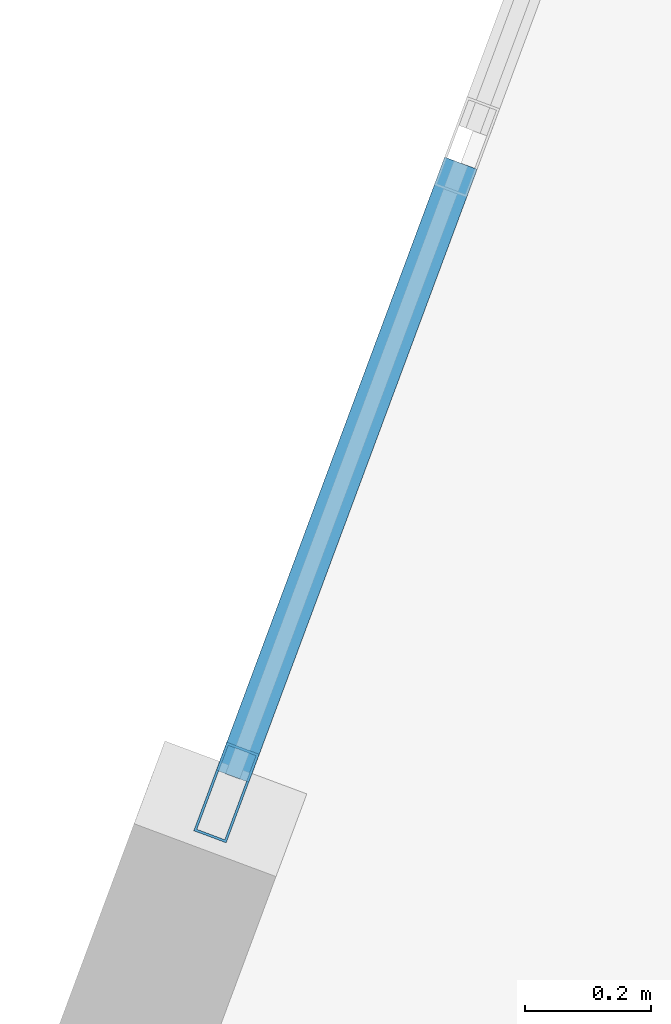
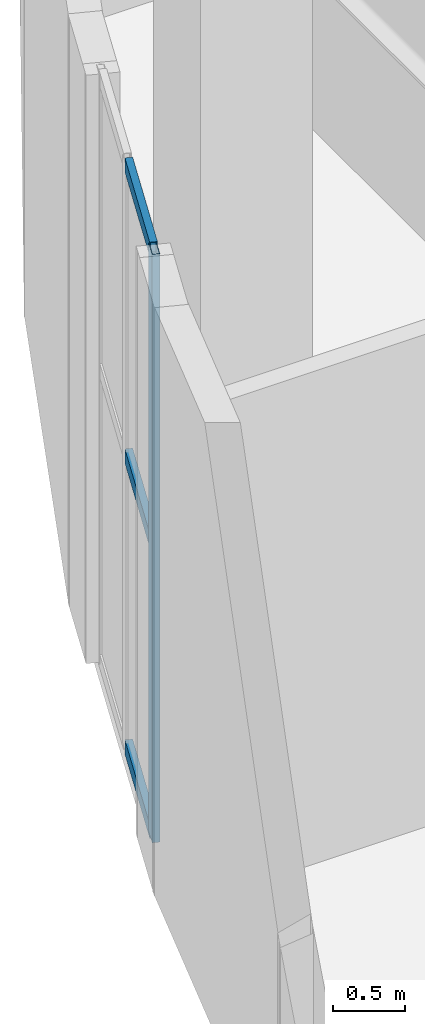
# One storey, part 4 of 12: 4 members, 1 element without a shape of its own.
"""IFC4 building model written with IfcOpenShell, lengths in metres."""

from ifc_helpers import new_model, si_unit, direction, frame, origin, origin_2d, place, context, subcontext, project, spatial, hollow_rectangle, extrude, material, layer, layer_set, material_profile, profile_set, type_object, element, aggregate, save


model = new_model("IFC4")

# Units and contexts
model_context = context("Model", 3, precision=1e-05, world=origin(), true_north=direction((0.0, 1.0)))
body_context = subcontext(model_context, "Body", "Model", "MODEL_VIEW")
ifc_project = project(units=[si_unit("LENGTHUNIT", "METRE"), si_unit("AREAUNIT", "SQUARE_METRE"), si_unit("VOLUMEUNIT", "CUBIC_METRE"), si_unit("PLANEANGLEUNIT", "RADIAN"), si_unit("MASSUNIT", "GRAM", prefix="KILO")], contexts=[model_context])

# Site, building, storey
site_placement = place(None, origin())
site = spatial("IfcSite", under=ifc_project, at=site_placement, CompositionType="ELEMENT")
building_placement = place(site_placement, origin())
building = spatial("IfcBuilding", under=site, at=building_placement, Name="Miruveldt Soraemaru", CompositionType="ELEMENT")
storey_placement = place(building_placement, frame((0.0, 0.0, 312.800048828125)))
storey = spatial("IfcBuildingStorey", under=building, at=storey_placement, Name="L82", CompositionType="ELEMENT", Elevation=312.800048828125)

# Curtain wall, members
ifc_material = material(Name="Anodised aluminium EN AW-6063 T6", Category="aluminium")
ifc_layer = layer(ifc_material, 0.14990234375, Name="Anodised aluminium EN AW-6063 T6", Category="aluminium")
ifc_layer_set = layer_set([ifc_layer], Name="Anodised aluminium EN AW-6063 T6")
curtain_wall_type = type_object("IfcCurtainWallType", Name="CW-SYS-6", PredefinedType="USERDEFINED", material=ifc_layer_set)
curtain_wall_placement = place(storey_placement, origin())
curtain_wall = element("IfcCurtainWall", 1, at=curtain_wall_placement, inside=storey, type_object=curtain_wall_type, Name="L82 Curtain Wall Bay 12", ObjectType="UNITISED GLAZING", PredefinedType="USERDEFINED")
ifc_material_profile_1 = material_profile(ifc_material, hollow_rectangle(XDim=0.054931640625, YDim=0.14990234375, WallThickness=0.00390625, at=origin_2d()), Name="Anodised aluminium EN AW-6063 T6", Category="aluminium")
ifc_profile_set_1 = profile_set([ifc_material_profile_1], Name="Anodised aluminium EN AW-6063 T6")
member_type_1 = type_object("IfcMemberType", Name="CWM-6", PredefinedType="MULLION", material=ifc_profile_set_1)
member_1_placement = place(storey_placement, frame((28.08544921875, 45.753173828125, 0.0), z_axis=(0.0, 0.0, 1.0), x_axis=(0.937123363704, -0.348998282518, 0.0)))
member_1 = element("IfcMember", 2, at=member_1_placement, type_object=member_type_1, Name="CW-6 mullion 3", PredefinedType="MULLION", context=body_context, shape_type="SweptSolid", body=[
    extrude(hollow_rectangle(XDim=0.054931640625, YDim=0.14990234375, WallThickness=0.00390625, at=origin_2d()), origin(), (0.0, 0.0, 1.0), 4.989990234375),
])
ifc_material_profile_2 = material_profile(ifc_material, hollow_rectangle(XDim=0.054931640625, YDim=0.1201171875, WallThickness=0.00390625, at=origin_2d()), Name="Anodised aluminium EN AW-6063 T6", Category="aluminium")
ifc_profile_set_2 = profile_set([ifc_material_profile_2], Name="Anodised aluminium EN AW-6063 T6")
member_type_2 = type_object("IfcMemberType", Name="CWT-6", PredefinedType="USERDEFINED", material=ifc_profile_set_2)
member_2_placement = place(storey_placement, frame((28.45703125, 46.750732421875, 0.02734375), z_axis=(-0.348877973547, -0.93716815971, 0.0), x_axis=(0.93716815971, -0.348877973547, 0.0)))
member_2 = element("IfcMember", 3, at=member_2_placement, type_object=member_type_2, Name="CW-6 transom 2.1", ObjectType="TRANSOM", PredefinedType="USERDEFINED", context=body_context, shape_type="SweptSolid", body=[
    extrude(hollow_rectangle(XDim=0.054931640625, YDim=0.1201171875, WallThickness=0.00390625, at=origin_2d()), origin(), (0.0, 0.0, 1.0), 1.037109375),
])
member_3_placement = place(storey_placement, frame((28.45703125, 46.750732421875, 2.494873046875), z_axis=(-0.348877973547, -0.93716815971, 0.0), x_axis=(0.93716815971, -0.348877973547, 0.0)))
member_3 = element("IfcMember", 4, at=member_3_placement, type_object=member_type_2, Name="CW-6 transom 2.2", ObjectType="TRANSOM", PredefinedType="USERDEFINED", context=body_context, shape_type="SweptSolid", body=[
    extrude(hollow_rectangle(XDim=0.054931640625, YDim=0.1201171875, WallThickness=0.00390625, at=origin_2d()), origin(), (0.0, 0.0, 1.0), 1.037109375),
])
member_4_placement = place(storey_placement, frame((28.45703125, 46.750732421875, 4.96240234375), z_axis=(-0.348877973547, -0.93716815971, 0.0), x_axis=(0.93716815971, -0.348877973547, 0.0)))
member_4 = element("IfcMember", 5, at=member_4_placement, type_object=member_type_2, Name="CW-6 transom 2.3", ObjectType="TRANSOM", PredefinedType="USERDEFINED", context=body_context, shape_type="SweptSolid", body=[
    extrude(hollow_rectangle(XDim=0.054931640625, YDim=0.1201171875, WallThickness=0.00390625, at=origin_2d()), origin(), (0.0, 0.0, 1.0), 1.037109375),
])
aggregate(curtain_wall, [member_1, member_2, member_3, member_4])

save(model, "model.ifc")
